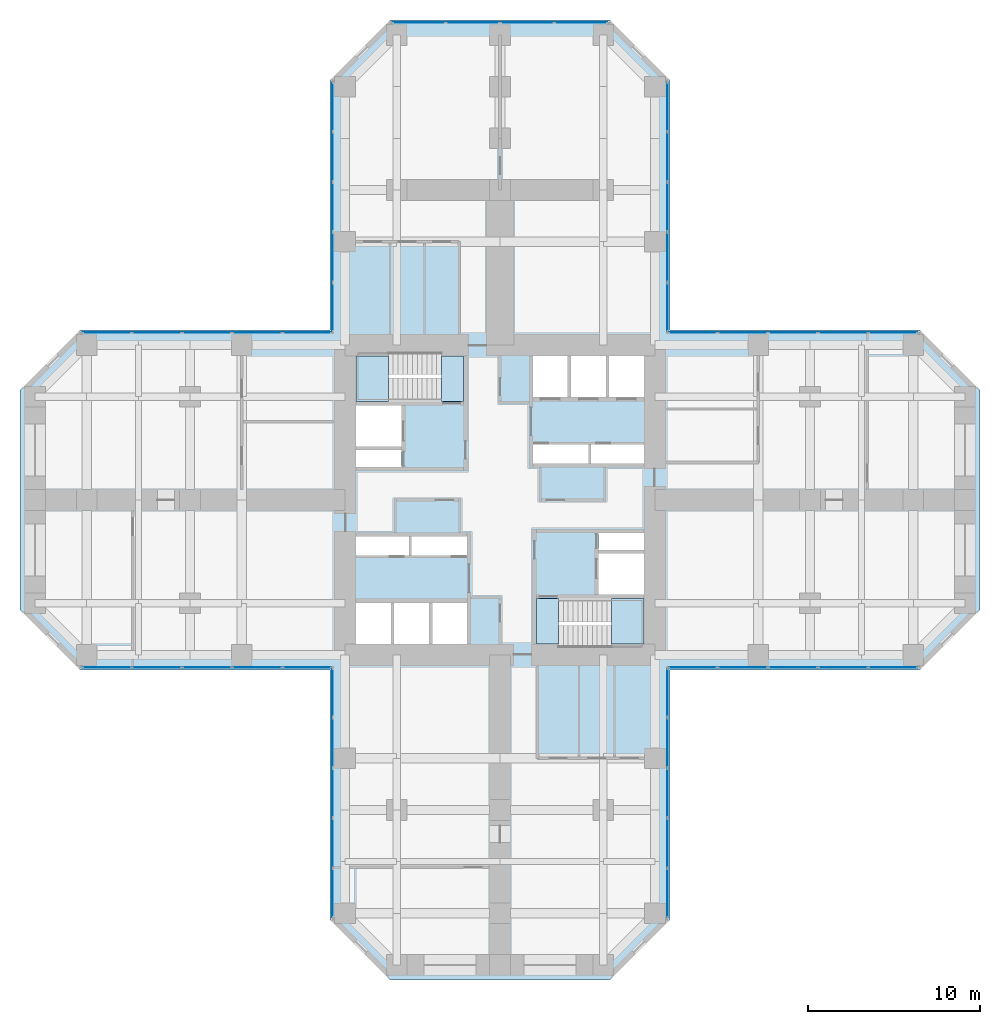
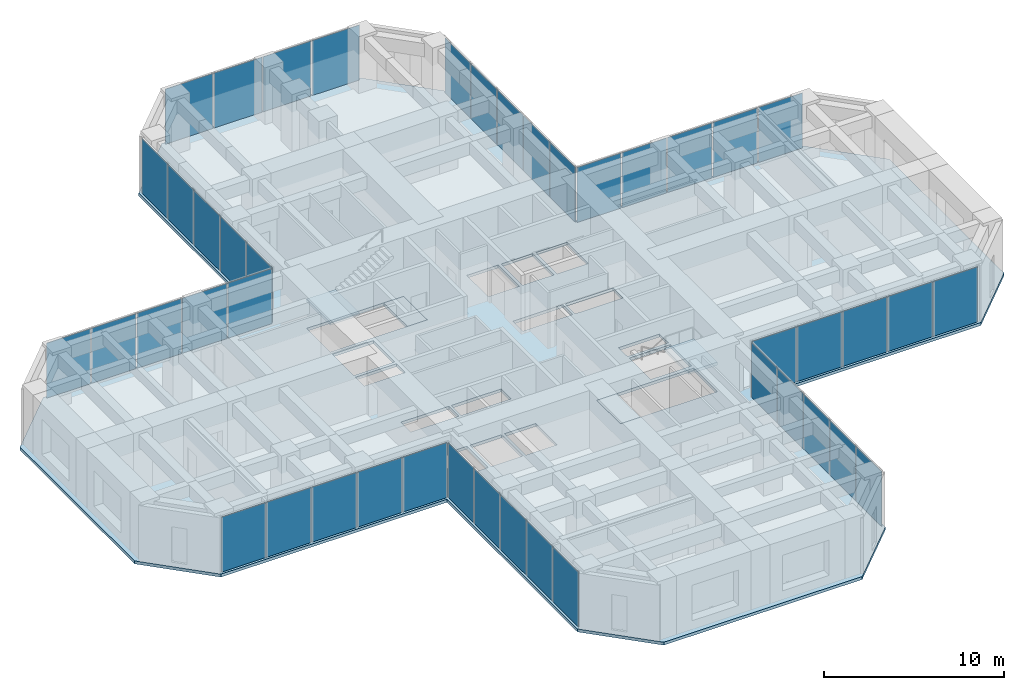
# One storey, part 7 of 12: 44 plates, 5 slabs, 11 elements without a shape of their own.
"""IFC4 building model written with IfcOpenShell, lengths in metres."""

from ifc_helpers import new_model, si_unit, direction, frame, origin, origin_2d, place, context, subcontext, project, spatial, polyline, rectangle, outline, extrude, material, layer, layer_set, type_object, element, aggregate, save


model = new_model("IFC4")

# Units and contexts
model_context = context("Model", 3, precision=1e-05, world=origin(), true_north=direction((0.0, 1.0)))
body_context = subcontext(model_context, "Body", "Model", "MODEL_VIEW")
ifc_project = project(units=[si_unit("LENGTHUNIT", "METRE"), si_unit("AREAUNIT", "SQUARE_METRE"), si_unit("VOLUMEUNIT", "CUBIC_METRE"), si_unit("PLANEANGLEUNIT", "RADIAN"), si_unit("MASSUNIT", "GRAM", prefix="KILO")], contexts=[model_context])

# Site, building, storey
site_placement = place(None, origin())
site = spatial("IfcSite", under=ifc_project, at=site_placement, CompositionType="ELEMENT")
building_placement = place(site_placement, origin())
building = spatial("IfcBuilding", under=site, at=building_placement, Name="Torre Cruceta", CompositionType="ELEMENT")
storey_placement = place(building_placement, frame((0.0, 0.0, 59.5)))
storey = spatial("IfcBuildingStorey", under=building, at=storey_placement, Name="L14", CompositionType="ELEMENT", Elevation=59.5)

# Curtain wall, plate
ifc_material_1 = material(Name="Aluminium unitised curtain wall", Category="aluminium")
curtain_wall_type = type_object("IfcCurtainWallType", Name="CURTAIN WALL CW-A OFFICE LOW RISE", PredefinedType="USERDEFINED", material=ifc_material_1)
curtain_wall_1_placement = place(storey_placement, origin())
curtain_wall_1 = element("IfcCurtainWall", 1, at=curtain_wall_1_placement, inside=storey, type_object=curtain_wall_type, Name="CW-A L14 E side 00", ObjectType="UNITISED", PredefinedType="USERDEFINED")
ifc_material_2 = material(Name="Laminated insulating glass unit, diagonal frit 50 %", Category="glass")
ifc_material_3 = material(Name="Laminated insulating glass unit, diagonal frit 50 %", Category="glass")
ifc_layer_1 = layer(ifc_material_3, 0.033935546875)
ifc_layer_set_1 = layer_set([ifc_layer_1], Name="Laminated insulating glass unit, diagonal frit 50 %")
plate_type_1 = type_object("IfcPlateType", Name="CW-A OPERABLE VENT PANEL 34", PredefinedType="CURTAIN_PANEL", material=ifc_layer_set_1)
plate_1_placement = place(storey_placement, frame((17.009033203125, -9.719970703125, 0.010009765625), z_axis=(0.0, 0.0, 1.0), x_axis=(1.0, 0.0, 0.0)))
plate_1 = element("IfcPlate", 2, at=plate_1_placement, type_object=plate_type_1, material=ifc_material_2, Name="CW-A vent 3", PredefinedType="CURTAIN_PANEL", context=body_context, shape_type="SweptSolid", body=[
    extrude(rectangle(XDim=2.8505859375, YDim=0.033935546875, at=origin_2d()), origin(), (0.0, 0.0, 1.0), 3.72509765625),
])

curtain_wall_2_placement = place(storey_placement, origin())
curtain_wall_2 = element("IfcCurtainWall", 3, at=curtain_wall_2_placement, inside=storey, type_object=curtain_wall_type, Name="CW-A L14 E side 04", ObjectType="UNITISED", PredefinedType="USERDEFINED")
plate_2_placement = place(storey_placement, frame((17.009033203125, 9.719970703125, 0.010009765625), z_axis=(0.0, 0.0, 1.0), x_axis=(-1.0, 0.0, 0.0)))
plate_2 = element("IfcPlate", 4, at=plate_2_placement, type_object=plate_type_1, material=ifc_material_2, Name="CW-A vent 3", PredefinedType="CURTAIN_PANEL", context=body_context, shape_type="SweptSolid", body=[
    extrude(rectangle(XDim=2.8505859375, YDim=0.033935546875, at=origin_2d()), origin(), (0.0, 0.0, 1.0), 3.72509765625),
])

curtain_wall_3_placement = place(storey_placement, origin())
curtain_wall_3 = element("IfcCurtainWall", 5, at=curtain_wall_3_placement, inside=storey, type_object=curtain_wall_type, Name="CW-A L14 N side 05", ObjectType="UNITISED", PredefinedType="USERDEFINED")
plate_3_placement = place(storey_placement, frame((9.719970703125, 17.009033203125, 0.010009765625), z_axis=(0.0, 0.0, 1.0), x_axis=(0.0, 1.0, 0.0)))
plate_3 = element("IfcPlate", 6, at=plate_3_placement, type_object=plate_type_1, material=ifc_material_2, Name="CW-A vent 3", PredefinedType="CURTAIN_PANEL", context=body_context, shape_type="SweptSolid", body=[
    extrude(rectangle(XDim=2.8505859375, YDim=0.033935546875, at=origin_2d()), origin(), (0.0, 0.0, 1.0), 3.72509765625),
])

curtain_wall_4_placement = place(storey_placement, origin())
curtain_wall_4 = element("IfcCurtainWall", 7, at=curtain_wall_4_placement, inside=storey, type_object=curtain_wall_type, Name="CW-A L14 N tip 07", ObjectType="UNITISED", PredefinedType="USERDEFINED")
plate_4_placement = place(storey_placement, frame((-1.574462890625, 27.719970703125, 0.010009765625), z_axis=(0.0, 0.0, 1.0), x_axis=(-1.0, 0.0, 0.0)))
plate_4 = element("IfcPlate", 8, at=plate_4_placement, type_object=plate_type_1, material=ifc_material_2, Name="CW-A vent 3", PredefinedType="CURTAIN_PANEL", context=body_context, shape_type="SweptSolid", body=[
    extrude(rectangle(XDim=3.084228515625, YDim=0.033935546875, at=origin_2d()), origin(), (0.0, 0.0, 1.0), 3.72509765625),
])

curtain_wall_5_placement = place(storey_placement, origin())
curtain_wall_5 = element("IfcCurtainWall", 9, at=curtain_wall_5_placement, inside=storey, type_object=curtain_wall_type, Name="CW-A L14 N side 09", ObjectType="UNITISED", PredefinedType="USERDEFINED")
plate_5_placement = place(storey_placement, frame((-9.719970703125, 17.009033203125, 0.010009765625), z_axis=(0.0, 0.0, 1.0), x_axis=(0.0, -1.0, 0.0)))
plate_5 = element("IfcPlate", 10, at=plate_5_placement, type_object=plate_type_1, material=ifc_material_2, Name="CW-A vent 3", PredefinedType="CURTAIN_PANEL", context=body_context, shape_type="SweptSolid", body=[
    extrude(rectangle(XDim=2.8505859375, YDim=0.033935546875, at=origin_2d()), origin(), (0.0, 0.0, 1.0), 3.72509765625),
])

curtain_wall_6_placement = place(storey_placement, origin())
curtain_wall_6 = element("IfcCurtainWall", 11, at=curtain_wall_6_placement, inside=storey, type_object=curtain_wall_type, Name="CW-A L14 W side 10", ObjectType="UNITISED", PredefinedType="USERDEFINED")
plate_6_placement = place(storey_placement, frame((-17.009033203125, 9.719970703125, 0.010009765625), z_axis=(0.0, 0.0, 1.0), x_axis=(-1.0, 0.0, 0.0)))
plate_6 = element("IfcPlate", 12, at=plate_6_placement, type_object=plate_type_1, material=ifc_material_2, Name="CW-A vent 3", PredefinedType="CURTAIN_PANEL", context=body_context, shape_type="SweptSolid", body=[
    extrude(rectangle(XDim=2.8505859375, YDim=0.033935546875, at=origin_2d()), origin(), (0.0, 0.0, 1.0), 3.72509765625),
])

curtain_wall_7_placement = place(storey_placement, origin())
curtain_wall_7 = element("IfcCurtainWall", 13, at=curtain_wall_7_placement, inside=storey, type_object=curtain_wall_type, Name="CW-A L14 W side 14", ObjectType="UNITISED", PredefinedType="USERDEFINED")
plate_7_placement = place(storey_placement, frame((-17.009033203125, -9.719970703125, 0.010009765625), z_axis=(0.0, 0.0, 1.0), x_axis=(1.0, 0.0, 0.0)))
plate_7 = element("IfcPlate", 14, at=plate_7_placement, type_object=plate_type_1, material=ifc_material_2, Name="CW-A vent 3", PredefinedType="CURTAIN_PANEL", context=body_context, shape_type="SweptSolid", body=[
    extrude(rectangle(XDim=2.8505859375, YDim=0.033935546875, at=origin_2d()), origin(), (0.0, 0.0, 1.0), 3.72509765625),
])

curtain_wall_8_placement = place(storey_placement, origin())
curtain_wall_8 = element("IfcCurtainWall", 15, at=curtain_wall_8_placement, inside=storey, type_object=curtain_wall_type, Name="CW-A L14 S side 15", ObjectType="UNITISED", PredefinedType="USERDEFINED")
plate_8_placement = place(storey_placement, frame((-9.719970703125, -17.009033203125, 0.010009765625), z_axis=(0.0, 0.0, 1.0), x_axis=(0.0, -1.0, 0.0)))
plate_8 = element("IfcPlate", 16, at=plate_8_placement, type_object=plate_type_1, material=ifc_material_2, Name="CW-A vent 3", PredefinedType="CURTAIN_PANEL", context=body_context, shape_type="SweptSolid", body=[
    extrude(rectangle(XDim=2.8505859375, YDim=0.033935546875, at=origin_2d()), origin(), (0.0, 0.0, 1.0), 3.72509765625),
])

curtain_wall_9_placement = place(storey_placement, origin())
curtain_wall_9 = element("IfcCurtainWall", 17, at=curtain_wall_9_placement, inside=storey, type_object=curtain_wall_type, Name="CW-A L14 S side 19", ObjectType="UNITISED", PredefinedType="USERDEFINED")
plate_9_placement = place(storey_placement, frame((9.719970703125, -17.009033203125, 0.010009765625), z_axis=(0.0, 0.0, 1.0), x_axis=(0.0, 1.0, 0.0)))
plate_9 = element("IfcPlate", 18, at=plate_9_placement, type_object=plate_type_1, material=ifc_material_2, Name="CW-A vent 3", PredefinedType="CURTAIN_PANEL", context=body_context, shape_type="SweptSolid", body=[
    extrude(rectangle(XDim=2.8505859375, YDim=0.033935546875, at=origin_2d()), origin(), (0.0, 0.0, 1.0), 3.72509765625),
])

# Plate
ifc_material_4 = material(Name="Laminated insulating glass unit, diagonal frit 50 %", Category="glass")
ifc_layer_2 = layer(ifc_material_4, 0.033935546875)
ifc_layer_set_2 = layer_set([ifc_layer_2], Name="Laminated insulating glass unit, diagonal frit 50 %")
plate_type_2 = type_object("IfcPlateType", Name="CW-A PANEL 34", PredefinedType="CURTAIN_PANEL", material=ifc_layer_set_2)
plate_10_placement = place(storey_placement, frame((11.194091796875, -9.719970703125, 0.010009765625), z_axis=(0.0, 0.0, 1.0), x_axis=(1.0, 0.0, 0.0)))
plate_10 = element("IfcPlate", 19, at=plate_10_placement, type_object=plate_type_2, material=ifc_material_2, Name="CW-A panel 1", PredefinedType="CURTAIN_PANEL", context=body_context, shape_type="SweptSolid", body=[
    extrude(rectangle(XDim=2.818115234375, YDim=0.033935546875, at=origin_2d()), origin(), (0.0, 0.0, 1.0), 3.72509765625),
])

plate_11_placement = place(storey_placement, frame((14.093505859375, -9.719970703125, 0.010009765625), z_axis=(0.0, 0.0, 1.0), x_axis=(1.0, 0.0, 0.0)))
plate_11 = element("IfcPlate", 20, at=plate_11_placement, type_object=plate_type_2, material=ifc_material_2, Name="CW-A panel 2", PredefinedType="CURTAIN_PANEL", context=body_context, shape_type="SweptSolid", body=[
    extrude(rectangle(XDim=2.8505859375, YDim=0.033935546875, at=origin_2d()), origin(), (0.0, 0.0, 1.0), 3.72509765625),
])

plate_12_placement = place(storey_placement, frame((19.9248046875, -9.719970703125, 0.010009765625), z_axis=(0.0, 0.0, 1.0), x_axis=(1.0, 0.0, 0.0)))
plate_12 = element("IfcPlate", 21, at=plate_12_placement, type_object=plate_type_2, material=ifc_material_2, Name="CW-A panel 4", PredefinedType="CURTAIN_PANEL", context=body_context, shape_type="SweptSolid", body=[
    extrude(rectangle(XDim=2.8505859375, YDim=0.033935546875, at=origin_2d()), origin(), (0.0, 0.0, 1.0), 3.72509765625),
])

ifc_material_5 = material(Name="Laminated insulating glass unit, low-iron clear", Category="glass")
plate_13_placement = place(storey_placement, frame((22.82421875, -9.719970703125, 0.010009765625), z_axis=(0.0, 0.0, 1.0), x_axis=(1.0, 0.0, 0.0)))
plate_13 = element("IfcPlate", 22, at=plate_13_placement, type_object=plate_type_2, material=ifc_material_5, Name="CW-A panel 5", PredefinedType="CURTAIN_PANEL", context=body_context, shape_type="SweptSolid", body=[
    extrude(rectangle(XDim=2.818115234375, YDim=0.033935546875, at=origin_2d()), origin(), (0.0, 0.0, 1.0), 3.72509765625),
])

aggregate(curtain_wall_1, [plate_10, plate_11, plate_1, plate_12, plate_13])

plate_14_placement = place(storey_placement, frame((22.82421875, 9.719970703125, 0.010009765625), z_axis=(0.0, 0.0, 1.0), x_axis=(-1.0, 0.0, 0.0)))
plate_14 = element("IfcPlate", 23, at=plate_14_placement, type_object=plate_type_2, material=ifc_material_2, Name="CW-A panel 1", PredefinedType="CURTAIN_PANEL", context=body_context, shape_type="SweptSolid", body=[
    extrude(rectangle(XDim=2.818115234375, YDim=0.033935546875, at=origin_2d()), origin(), (0.0, 0.0, 1.0), 3.72509765625),
])

plate_15_placement = place(storey_placement, frame((19.9248046875, 9.719970703125, 0.010009765625), z_axis=(0.0, 0.0, 1.0), x_axis=(-1.0, 0.0, 0.0)))
plate_15 = element("IfcPlate", 24, at=plate_15_placement, type_object=plate_type_2, material=ifc_material_2, Name="CW-A panel 2", PredefinedType="CURTAIN_PANEL", context=body_context, shape_type="SweptSolid", body=[
    extrude(rectangle(XDim=2.8505859375, YDim=0.033935546875, at=origin_2d()), origin(), (0.0, 0.0, 1.0), 3.72509765625),
])

plate_16_placement = place(storey_placement, frame((14.093505859375, 9.719970703125, 0.010009765625), z_axis=(0.0, 0.0, 1.0), x_axis=(-1.0, 0.0, 0.0)))
plate_16 = element("IfcPlate", 25, at=plate_16_placement, type_object=plate_type_2, material=ifc_material_2, Name="CW-A panel 4", PredefinedType="CURTAIN_PANEL", context=body_context, shape_type="SweptSolid", body=[
    extrude(rectangle(XDim=2.8505859375, YDim=0.033935546875, at=origin_2d()), origin(), (0.0, 0.0, 1.0), 3.72509765625),
])

plate_17_placement = place(storey_placement, frame((11.194091796875, 9.719970703125, 0.010009765625), z_axis=(0.0, 0.0, 1.0), x_axis=(-1.0, 0.0, 0.0)))
plate_17 = element("IfcPlate", 26, at=plate_17_placement, type_object=plate_type_2, material=ifc_material_5, Name="CW-A panel 5", PredefinedType="CURTAIN_PANEL", context=body_context, shape_type="SweptSolid", body=[
    extrude(rectangle(XDim=2.818115234375, YDim=0.033935546875, at=origin_2d()), origin(), (0.0, 0.0, 1.0), 3.72509765625),
])

aggregate(curtain_wall_2, [plate_14, plate_15, plate_2, plate_16, plate_17])

plate_18_placement = place(storey_placement, frame((9.719970703125, 11.194091796875, 0.010009765625), z_axis=(0.0, 0.0, 1.0), x_axis=(0.0, 1.0, 0.0)))
plate_18 = element("IfcPlate", 27, at=plate_18_placement, type_object=plate_type_2, material=ifc_material_2, Name="CW-A panel 1", PredefinedType="CURTAIN_PANEL", context=body_context, shape_type="SweptSolid", body=[
    extrude(rectangle(XDim=2.818115234375, YDim=0.033935546875, at=origin_2d()), origin(), (0.0, 0.0, 1.0), 3.72509765625),
])

plate_19_placement = place(storey_placement, frame((9.719970703125, 14.093505859375, 0.010009765625), z_axis=(0.0, 0.0, 1.0), x_axis=(0.0, 1.0, 0.0)))
plate_19 = element("IfcPlate", 28, at=plate_19_placement, type_object=plate_type_2, material=ifc_material_2, Name="CW-A panel 2", PredefinedType="CURTAIN_PANEL", context=body_context, shape_type="SweptSolid", body=[
    extrude(rectangle(XDim=2.8505859375, YDim=0.033935546875, at=origin_2d()), origin(), (0.0, 0.0, 1.0), 3.72509765625),
])

plate_20_placement = place(storey_placement, frame((9.719970703125, 19.9248046875, 0.010009765625), z_axis=(0.0, 0.0, 1.0), x_axis=(0.0, 1.0, 0.0)))
plate_20 = element("IfcPlate", 29, at=plate_20_placement, type_object=plate_type_2, material=ifc_material_2, Name="CW-A panel 4", PredefinedType="CURTAIN_PANEL", context=body_context, shape_type="SweptSolid", body=[
    extrude(rectangle(XDim=2.8505859375, YDim=0.033935546875, at=origin_2d()), origin(), (0.0, 0.0, 1.0), 3.72509765625),
])

plate_21_placement = place(storey_placement, frame((9.719970703125, 22.82421875, 0.010009765625), z_axis=(0.0, 0.0, 1.0), x_axis=(0.0, 1.0, 0.0)))
plate_21 = element("IfcPlate", 30, at=plate_21_placement, type_object=plate_type_2, material=ifc_material_5, Name="CW-A panel 5", PredefinedType="CURTAIN_PANEL", context=body_context, shape_type="SweptSolid", body=[
    extrude(rectangle(XDim=2.818115234375, YDim=0.033935546875, at=origin_2d()), origin(), (0.0, 0.0, 1.0), 3.72509765625),
])

aggregate(curtain_wall_3, [plate_18, plate_19, plate_3, plate_20, plate_21])

plate_22_placement = place(storey_placement, frame((4.70751953125, 27.719970703125, 0.010009765625), z_axis=(0.0, 0.0, 1.0), x_axis=(-1.0, 0.0, 0.0)))
plate_22 = element("IfcPlate", 31, at=plate_22_placement, type_object=plate_type_2, material=ifc_material_2, Name="CW-A panel 1", PredefinedType="CURTAIN_PANEL", context=body_context, shape_type="SweptSolid", body=[
    extrude(rectangle(XDim=3.051513671875, YDim=0.033935546875, at=origin_2d()), origin(), (0.0, 0.0, 1.0), 3.72509765625),
])

plate_23_placement = place(storey_placement, frame((1.574462890625, 27.719970703125, 0.010009765625), z_axis=(0.0, 0.0, 1.0), x_axis=(-1.0, 0.0, 0.0)))
plate_23 = element("IfcPlate", 32, at=plate_23_placement, type_object=plate_type_2, material=ifc_material_2, Name="CW-A panel 2", PredefinedType="CURTAIN_PANEL", context=body_context, shape_type="SweptSolid", body=[
    extrude(rectangle(XDim=3.084228515625, YDim=0.033935546875, at=origin_2d()), origin(), (0.0, 0.0, 1.0), 3.72509765625),
])

plate_24_placement = place(storey_placement, frame((-4.70751953125, 27.719970703125, 0.010009765625), z_axis=(0.0, 0.0, 1.0), x_axis=(-1.0, 0.0, 0.0)))
plate_24 = element("IfcPlate", 33, at=plate_24_placement, type_object=plate_type_2, material=ifc_material_2, Name="CW-A panel 4", PredefinedType="CURTAIN_PANEL", context=body_context, shape_type="SweptSolid", body=[
    extrude(rectangle(XDim=3.051513671875, YDim=0.033935546875, at=origin_2d()), origin(), (0.0, 0.0, 1.0), 3.72509765625),
])

aggregate(curtain_wall_4, [plate_22, plate_23, plate_4, plate_24])

plate_25_placement = place(storey_placement, frame((-9.719970703125, 22.82421875, 0.010009765625), z_axis=(0.0, 0.0, 1.0), x_axis=(0.0, -1.0, 0.0)))
plate_25 = element("IfcPlate", 34, at=plate_25_placement, type_object=plate_type_2, material=ifc_material_2, Name="CW-A panel 1", PredefinedType="CURTAIN_PANEL", context=body_context, shape_type="SweptSolid", body=[
    extrude(rectangle(XDim=2.818115234375, YDim=0.033935546875, at=origin_2d()), origin(), (0.0, 0.0, 1.0), 3.72509765625),
])

plate_26_placement = place(storey_placement, frame((-9.719970703125, 19.9248046875, 0.010009765625), z_axis=(0.0, 0.0, 1.0), x_axis=(0.0, -1.0, 0.0)))
plate_26 = element("IfcPlate", 35, at=plate_26_placement, type_object=plate_type_2, material=ifc_material_2, Name="CW-A panel 2", PredefinedType="CURTAIN_PANEL", context=body_context, shape_type="SweptSolid", body=[
    extrude(rectangle(XDim=2.8505859375, YDim=0.033935546875, at=origin_2d()), origin(), (0.0, 0.0, 1.0), 3.72509765625),
])

plate_27_placement = place(storey_placement, frame((-9.719970703125, 14.093505859375, 0.010009765625), z_axis=(0.0, 0.0, 1.0), x_axis=(0.0, -1.0, 0.0)))
plate_27 = element("IfcPlate", 36, at=plate_27_placement, type_object=plate_type_2, material=ifc_material_2, Name="CW-A panel 4", PredefinedType="CURTAIN_PANEL", context=body_context, shape_type="SweptSolid", body=[
    extrude(rectangle(XDim=2.8505859375, YDim=0.033935546875, at=origin_2d()), origin(), (0.0, 0.0, 1.0), 3.72509765625),
])

plate_28_placement = place(storey_placement, frame((-9.719970703125, 11.194091796875, 0.010009765625), z_axis=(0.0, 0.0, 1.0), x_axis=(0.0, -1.0, 0.0)))
plate_28 = element("IfcPlate", 37, at=plate_28_placement, type_object=plate_type_2, material=ifc_material_5, Name="CW-A panel 5", PredefinedType="CURTAIN_PANEL", context=body_context, shape_type="SweptSolid", body=[
    extrude(rectangle(XDim=2.818115234375, YDim=0.033935546875, at=origin_2d()), origin(), (0.0, 0.0, 1.0), 3.72509765625),
])

aggregate(curtain_wall_5, [plate_25, plate_26, plate_5, plate_27, plate_28])

plate_29_placement = place(storey_placement, frame((-11.194091796875, 9.719970703125, 0.010009765625), z_axis=(0.0, 0.0, 1.0), x_axis=(-1.0, 0.0, 0.0)))
plate_29 = element("IfcPlate", 38, at=plate_29_placement, type_object=plate_type_2, material=ifc_material_2, Name="CW-A panel 1", PredefinedType="CURTAIN_PANEL", context=body_context, shape_type="SweptSolid", body=[
    extrude(rectangle(XDim=2.818115234375, YDim=0.033935546875, at=origin_2d()), origin(), (0.0, 0.0, 1.0), 3.72509765625),
])

plate_30_placement = place(storey_placement, frame((-14.093505859375, 9.719970703125, 0.010009765625), z_axis=(0.0, 0.0, 1.0), x_axis=(-1.0, 0.0, 0.0)))
plate_30 = element("IfcPlate", 39, at=plate_30_placement, type_object=plate_type_2, material=ifc_material_2, Name="CW-A panel 2", PredefinedType="CURTAIN_PANEL", context=body_context, shape_type="SweptSolid", body=[
    extrude(rectangle(XDim=2.8505859375, YDim=0.033935546875, at=origin_2d()), origin(), (0.0, 0.0, 1.0), 3.72509765625),
])

plate_31_placement = place(storey_placement, frame((-19.9248046875, 9.719970703125, 0.010009765625), z_axis=(0.0, 0.0, 1.0), x_axis=(-1.0, 0.0, 0.0)))
plate_31 = element("IfcPlate", 40, at=plate_31_placement, type_object=plate_type_2, material=ifc_material_2, Name="CW-A panel 4", PredefinedType="CURTAIN_PANEL", context=body_context, shape_type="SweptSolid", body=[
    extrude(rectangle(XDim=2.8505859375, YDim=0.033935546875, at=origin_2d()), origin(), (0.0, 0.0, 1.0), 3.72509765625),
])

plate_32_placement = place(storey_placement, frame((-22.82421875, 9.719970703125, 0.010009765625), z_axis=(0.0, 0.0, 1.0), x_axis=(-1.0, 0.0, 0.0)))
plate_32 = element("IfcPlate", 41, at=plate_32_placement, type_object=plate_type_2, material=ifc_material_5, Name="CW-A panel 5", PredefinedType="CURTAIN_PANEL", context=body_context, shape_type="SweptSolid", body=[
    extrude(rectangle(XDim=2.818115234375, YDim=0.033935546875, at=origin_2d()), origin(), (0.0, 0.0, 1.0), 3.72509765625),
])

aggregate(curtain_wall_6, [plate_29, plate_30, plate_6, plate_31, plate_32])

plate_33_placement = place(storey_placement, frame((-22.82421875, -9.719970703125, 0.010009765625), z_axis=(0.0, 0.0, 1.0), x_axis=(1.0, 0.0, 0.0)))
plate_33 = element("IfcPlate", 42, at=plate_33_placement, type_object=plate_type_2, material=ifc_material_2, Name="CW-A panel 1", PredefinedType="CURTAIN_PANEL", context=body_context, shape_type="SweptSolid", body=[
    extrude(rectangle(XDim=2.818115234375, YDim=0.033935546875, at=origin_2d()), origin(), (0.0, 0.0, 1.0), 3.72509765625),
])

plate_34_placement = place(storey_placement, frame((-19.9248046875, -9.719970703125, 0.010009765625), z_axis=(0.0, 0.0, 1.0), x_axis=(1.0, 0.0, 0.0)))
plate_34 = element("IfcPlate", 43, at=plate_34_placement, type_object=plate_type_2, material=ifc_material_2, Name="CW-A panel 2", PredefinedType="CURTAIN_PANEL", context=body_context, shape_type="SweptSolid", body=[
    extrude(rectangle(XDim=2.8505859375, YDim=0.033935546875, at=origin_2d()), origin(), (0.0, 0.0, 1.0), 3.72509765625),
])

plate_35_placement = place(storey_placement, frame((-14.093505859375, -9.719970703125, 0.010009765625), z_axis=(0.0, 0.0, 1.0), x_axis=(1.0, 0.0, 0.0)))
plate_35 = element("IfcPlate", 44, at=plate_35_placement, type_object=plate_type_2, material=ifc_material_2, Name="CW-A panel 4", PredefinedType="CURTAIN_PANEL", context=body_context, shape_type="SweptSolid", body=[
    extrude(rectangle(XDim=2.8505859375, YDim=0.033935546875, at=origin_2d()), origin(), (0.0, 0.0, 1.0), 3.72509765625),
])

plate_36_placement = place(storey_placement, frame((-11.194091796875, -9.719970703125, 0.010009765625), z_axis=(0.0, 0.0, 1.0), x_axis=(1.0, 0.0, 0.0)))
plate_36 = element("IfcPlate", 45, at=plate_36_placement, type_object=plate_type_2, material=ifc_material_5, Name="CW-A panel 5", PredefinedType="CURTAIN_PANEL", context=body_context, shape_type="SweptSolid", body=[
    extrude(rectangle(XDim=2.818115234375, YDim=0.033935546875, at=origin_2d()), origin(), (0.0, 0.0, 1.0), 3.72509765625),
])

aggregate(curtain_wall_7, [plate_33, plate_34, plate_7, plate_35, plate_36])

plate_37_placement = place(storey_placement, frame((-9.719970703125, -11.194091796875, 0.010009765625), z_axis=(0.0, 0.0, 1.0), x_axis=(0.0, -1.0, 0.0)))
plate_37 = element("IfcPlate", 46, at=plate_37_placement, type_object=plate_type_2, material=ifc_material_2, Name="CW-A panel 1", PredefinedType="CURTAIN_PANEL", context=body_context, shape_type="SweptSolid", body=[
    extrude(rectangle(XDim=2.818115234375, YDim=0.033935546875, at=origin_2d()), origin(), (0.0, 0.0, 1.0), 3.72509765625),
])

plate_38_placement = place(storey_placement, frame((-9.719970703125, -14.093505859375, 0.010009765625), z_axis=(0.0, 0.0, 1.0), x_axis=(0.0, -1.0, 0.0)))
plate_38 = element("IfcPlate", 47, at=plate_38_placement, type_object=plate_type_2, material=ifc_material_2, Name="CW-A panel 2", PredefinedType="CURTAIN_PANEL", context=body_context, shape_type="SweptSolid", body=[
    extrude(rectangle(XDim=2.8505859375, YDim=0.033935546875, at=origin_2d()), origin(), (0.0, 0.0, 1.0), 3.72509765625),
])

plate_39_placement = place(storey_placement, frame((-9.719970703125, -19.9248046875, 0.010009765625), z_axis=(0.0, 0.0, 1.0), x_axis=(0.0, -1.0, 0.0)))
plate_39 = element("IfcPlate", 48, at=plate_39_placement, type_object=plate_type_2, material=ifc_material_2, Name="CW-A panel 4", PredefinedType="CURTAIN_PANEL", context=body_context, shape_type="SweptSolid", body=[
    extrude(rectangle(XDim=2.8505859375, YDim=0.033935546875, at=origin_2d()), origin(), (0.0, 0.0, 1.0), 3.72509765625),
])

plate_40_placement = place(storey_placement, frame((-9.719970703125, -22.82421875, 0.010009765625), z_axis=(0.0, 0.0, 1.0), x_axis=(0.0, -1.0, 0.0)))
plate_40 = element("IfcPlate", 49, at=plate_40_placement, type_object=plate_type_2, material=ifc_material_5, Name="CW-A panel 5", PredefinedType="CURTAIN_PANEL", context=body_context, shape_type="SweptSolid", body=[
    extrude(rectangle(XDim=2.818115234375, YDim=0.033935546875, at=origin_2d()), origin(), (0.0, 0.0, 1.0), 3.72509765625),
])

aggregate(curtain_wall_8, [plate_37, plate_38, plate_8, plate_39, plate_40])

plate_41_placement = place(storey_placement, frame((9.719970703125, -22.82421875, 0.010009765625), z_axis=(0.0, 0.0, 1.0), x_axis=(0.0, 1.0, 0.0)))
plate_41 = element("IfcPlate", 50, at=plate_41_placement, type_object=plate_type_2, material=ifc_material_2, Name="CW-A panel 1", PredefinedType="CURTAIN_PANEL", context=body_context, shape_type="SweptSolid", body=[
    extrude(rectangle(XDim=2.818115234375, YDim=0.033935546875, at=origin_2d()), origin(), (0.0, 0.0, 1.0), 3.72509765625),
])

plate_42_placement = place(storey_placement, frame((9.719970703125, -19.9248046875, 0.010009765625), z_axis=(0.0, 0.0, 1.0), x_axis=(0.0, 1.0, 0.0)))
plate_42 = element("IfcPlate", 51, at=plate_42_placement, type_object=plate_type_2, material=ifc_material_2, Name="CW-A panel 2", PredefinedType="CURTAIN_PANEL", context=body_context, shape_type="SweptSolid", body=[
    extrude(rectangle(XDim=2.8505859375, YDim=0.033935546875, at=origin_2d()), origin(), (0.0, 0.0, 1.0), 3.72509765625),
])

plate_43_placement = place(storey_placement, frame((9.719970703125, -14.093505859375, 0.010009765625), z_axis=(0.0, 0.0, 1.0), x_axis=(0.0, 1.0, 0.0)))
plate_43 = element("IfcPlate", 52, at=plate_43_placement, type_object=plate_type_2, material=ifc_material_2, Name="CW-A panel 4", PredefinedType="CURTAIN_PANEL", context=body_context, shape_type="SweptSolid", body=[
    extrude(rectangle(XDim=2.8505859375, YDim=0.033935546875, at=origin_2d()), origin(), (0.0, 0.0, 1.0), 3.72509765625),
])

plate_44_placement = place(storey_placement, frame((9.719970703125, -11.194091796875, 0.010009765625), z_axis=(0.0, 0.0, 1.0), x_axis=(0.0, 1.0, 0.0)))
plate_44 = element("IfcPlate", 53, at=plate_44_placement, type_object=plate_type_2, material=ifc_material_5, Name="CW-A panel 5", PredefinedType="CURTAIN_PANEL", context=body_context, shape_type="SweptSolid", body=[
    extrude(rectangle(XDim=2.818115234375, YDim=0.033935546875, at=origin_2d()), origin(), (0.0, 0.0, 1.0), 3.72509765625),
])

aggregate(curtain_wall_9, [plate_41, plate_42, plate_9, plate_43, plate_44])

# Slab
ifc_material_6 = material(Name="Concrete G35 (fck 35 MPa)", Category="concrete")
ifc_layer_3 = layer(ifc_material_6, 0.199951171875)
ifc_layer_set_3 = layer_set([ifc_layer_3], Name="Concrete G35 (fck 35 MPa)")
slab_type_1 = type_object("IfcSlabType", Name="FLOOR SLAB 200", PredefinedType="FLOOR", material=ifc_layer_set_3)
slab_1_placement = place(storey_placement, frame((0.0, 0.0, -0.199951171875)))
element("IfcSlab", 54, at=slab_1_placement, inside=storey, type_object=slab_type_1, Name="Floor Slab L14", PredefinedType="FLOOR", context=body_context, shape_type="SweptSolid", body=[
    extrude(outline(polyline([(9.8701171875, -9.8701171875), (9.8701171875, -24.3603515625), (6.3603515625, -27.8701171875), (-6.3603515625, -27.8701171875), (-9.8701171875, -24.3603515625), (-9.8701171875, -9.8701171875), (-24.3603515625, -9.8701171875), (-27.8701171875, -6.3603515625), (-27.8701171875, 6.3603515625), (-24.3603515625, 9.8701171875), (-9.8701171875, 9.8701171875), (-9.8701171875, 24.3603515625), (-6.3603515625, 27.8701171875), (6.3603515625, 27.8701171875), (9.8701171875, 24.3603515625), (9.8701171875, 9.8701171875), (24.3603515625, 9.8701171875), (27.8701171875, 6.3603515625), (27.8701171875, -6.3603515625), (24.3603515625, -9.8701171875), (9.8701171875, -9.8701171875)]), holes=[polyline([(1.925048828125, 5.97509765625), (3.933349609375, 5.97509765625), (3.933349609375, 8.35009765625), (1.925048828125, 8.35009765625), (1.925048828125, 5.97509765625)]), polyline([(4.13330078125, 5.97509765625), (6.1416015625, 5.97509765625), (6.1416015625, 8.35009765625), (4.13330078125, 8.35009765625), (4.13330078125, 5.97509765625)]), polyline([(6.341552734375, 5.97509765625), (8.35009765625, 5.97509765625), (8.35009765625, 8.35009765625), (6.341552734375, 8.35009765625), (6.341552734375, 5.97509765625)]), polyline([(1.925048828125, 2.125), (5.125, 2.125), (5.125, 3.22509765625), (1.925048828125, 3.22509765625), (1.925048828125, 2.125)]), polyline([(5.27490234375, 2.125), (8.35009765625, 2.125), (8.35009765625, 3.22509765625), (5.27490234375, 3.22509765625), (5.27490234375, 2.125)]), polyline([(-8.35009765625, 3.10009765625), (-5.72509765625, 3.10009765625), (-5.72509765625, 5.47509765625), (-8.35009765625, 5.47509765625), (-8.35009765625, 3.10009765625)]), polyline([(-8.35009765625, 1.925048828125), (-5.72509765625, 1.925048828125), (-5.72509765625, 2.89990234375), (-8.35009765625, 2.89990234375), (-8.35009765625, 1.925048828125)]), polyline([(-3.933349609375, -8.35009765625), (-1.925048828125, -8.35009765625), (-1.925048828125, -5.97509765625), (-3.933349609375, -5.97509765625), (-3.933349609375, -8.35009765625)]), polyline([(-6.1416015625, -8.35009765625), (-4.13330078125, -8.35009765625), (-4.13330078125, -5.97509765625), (-6.1416015625, -5.97509765625), (-6.1416015625, -8.35009765625)]), polyline([(-8.35009765625, -8.35009765625), (-6.341552734375, -8.35009765625), (-6.341552734375, -5.97509765625), (-8.35009765625, -5.97509765625), (-8.35009765625, -8.35009765625)]), polyline([(-5.125, -3.22509765625), (-1.925048828125, -3.22509765625), (-1.925048828125, -2.125), (-5.125, -2.125), (-5.125, -3.22509765625)]), polyline([(-8.35009765625, -3.22509765625), (-5.27490234375, -3.22509765625), (-5.27490234375, -2.125), (-8.35009765625, -2.125), (-8.35009765625, -3.22509765625)]), polyline([(5.72509765625, -5.47509765625), (8.35009765625, -5.47509765625), (8.35009765625, -3.10009765625), (5.72509765625, -3.10009765625), (5.72509765625, -5.47509765625)]), polyline([(5.72509765625, -2.89990234375), (8.35009765625, -2.89990234375), (8.35009765625, -1.925048828125), (5.72509765625, -1.925048828125), (5.72509765625, -2.89990234375)]), polyline([(-8.35009765625, 5.72509765625), (-8.35009765625, 8.35009765625), (-3.39990234375, 8.35009765625), (-2.125, 8.35009765625), (-2.125, 5.72509765625), (-3.39990234375, 5.72509765625), (-8.35009765625, 5.72509765625)]), polyline([(2.125, -5.72509765625), (3.39990234375, -5.72509765625), (8.35009765625, -5.72509765625), (8.35009765625, -8.35009765625), (3.39990234375, -8.35009765625), (2.125, -8.35009765625), (2.125, -5.72509765625)])]), origin(), (0.0, 0.0, 1.0), 0.199951171875),
])

# Stair, slab
ifc_material_7 = material(Name="Concrete G30 (fck 30 MPa)", Category="concrete")
stair_type = type_object("IfcStairType", Name="STAIR HALF-TURN 1300", PredefinedType="HALF_TURN_STAIR", material=ifc_material_7)
stair_1_placement = place(storey_placement, origin())
stair_1 = element("IfcStair", 55, at=stair_1_placement, inside=storey, type_object=stair_type, Name="Stair ST1 L14", PredefinedType="HALF_TURN_STAIR")
ifc_material_8 = material(Name="Concrete G30 (fck 30 MPa)", Category="concrete")
ifc_layer_4 = layer(ifc_material_8, 0.199951171875)
ifc_layer_set_4 = layer_set([ifc_layer_4], Name="Concrete G30 (fck 30 MPa)")
slab_type_2 = type_object("IfcSlabType", Name="STAIR LANDING 200", PredefinedType="LANDING", material=ifc_layer_set_4)
slab_2_placement = place(storey_placement, frame((0.0, 0.0, 1.800048828125)))
slab_2 = element("IfcSlab", 56, at=slab_2_placement, type_object=slab_type_2, Name="ST1 landing 1", PredefinedType="LANDING", context=body_context, shape_type="SweptSolid", body=[
    extrude(outline(polyline([(-8.35009765625, 5.72509765625), (-6.47998046875, 5.72509765625), (-6.47998046875, 8.35009765625), (-8.35009765625, 8.35009765625), (-8.35009765625, 5.72509765625)])), origin(), (0.0, 0.0, 1.0), 0.199951171875),
])
aggregate(stair_1, [slab_2])

stair_2_placement = place(storey_placement, origin())
stair_2 = element("IfcStair", 57, at=stair_2_placement, inside=storey, type_object=stair_type, Name="Stair ST2 L14", PredefinedType="HALF_TURN_STAIR")
slab_3_placement = place(storey_placement, frame((0.0, 0.0, 1.800048828125)))
slab_3 = element("IfcSlab", 58, at=slab_3_placement, type_object=slab_type_2, Name="ST2 landing 1", PredefinedType="LANDING", context=body_context, shape_type="SweptSolid", body=[
    extrude(outline(polyline([(6.47998046875, -8.35009765625), (8.35009765625, -8.35009765625), (8.35009765625, -5.72509765625), (6.47998046875, -5.72509765625), (6.47998046875, -8.35009765625)])), origin(), (0.0, 0.0, 1.0), 0.199951171875),
])
aggregate(stair_2, [slab_3])

# Slabs
slab_4_placement = place(storey_placement, frame((0.0, 0.0, -0.199951171875)))
element("IfcSlab", 59, at=slab_4_placement, inside=storey, type_object=slab_type_2, Name="Stair ST1 floor landing L14", PredefinedType="LANDING", context=body_context, shape_type="SweptSolid", body=[
    extrude(outline(polyline([(-2.125, 8.35009765625), (-2.125, 5.72509765625), (-3.39990234375, 5.72509765625), (-3.39990234375, 8.35009765625), (-2.125, 8.35009765625)])), origin(), (0.0, 0.0, 1.0), 0.199951171875),
])
slab_5_placement = place(storey_placement, frame((0.0, 0.0, -0.199951171875)))
element("IfcSlab", 60, at=slab_5_placement, inside=storey, type_object=slab_type_2, Name="Stair ST2 floor landing L14", PredefinedType="LANDING", context=body_context, shape_type="SweptSolid", body=[
    extrude(outline(polyline([(2.125, -8.35009765625), (2.125, -5.72509765625), (3.39990234375, -5.72509765625), (3.39990234375, -8.35009765625), (2.125, -8.35009765625)])), origin(), (0.0, 0.0, 1.0), 0.199951171875),
])

save(model, "model.ifc")
